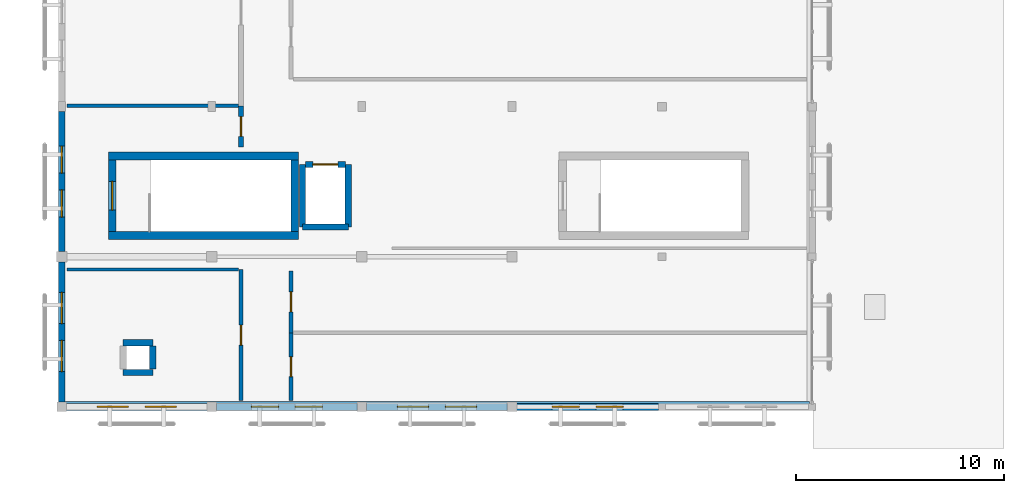
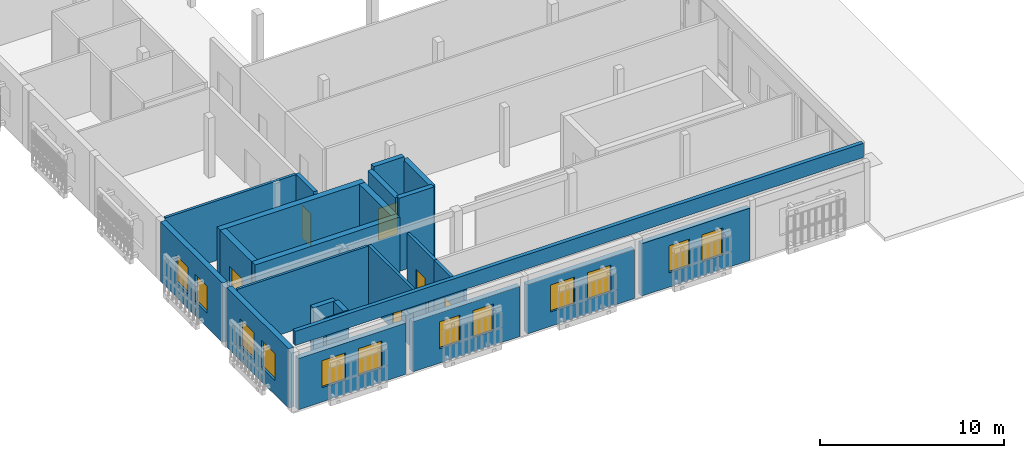
# One storey, part 7 of 11: 24 walls, 12 windows, 6 doors, 18 openings.
"""IFC4 building model written with IfcOpenShell, lengths in metres."""

from ifc_helpers import new_model, si_unit, direction, frame, frame_2d, origin, place, context, subcontext, project, spatial, rectangle, extrude, material, layer, layer_set, type_object, element, fill, save


model = new_model("IFC4")

# Units and contexts
model_context = context("Model", 3, precision=1e-05, world=origin(), true_north=direction((0.0, 1.0)))
body_context = subcontext(model_context, "Body", "Model", "MODEL_VIEW")
ifc_project = project(units=[si_unit("LENGTHUNIT", "METRE"), si_unit("AREAUNIT", "SQUARE_METRE"), si_unit("VOLUMEUNIT", "CUBIC_METRE"), si_unit("PLANEANGLEUNIT", "RADIAN"), si_unit("MASSUNIT", "GRAM", prefix="KILO")], contexts=[model_context])

# Site, building, storey
site_placement = place(None, origin())
site = spatial("IfcSite", under=ifc_project, at=site_placement, CompositionType="ELEMENT")
building_placement = place(site_placement, origin())
building = spatial("IfcBuilding", under=site, at=building_placement, Name="Mazaris Harbour Polytechnic", CompositionType="ELEMENT")
storey_placement = place(building_placement, frame((0.0, 0.0, 22.199951171875)))
storey = spatial("IfcBuildingStorey", under=building, at=storey_placement, Name="L05", CompositionType="ELEMENT", Elevation=22.199951171875)

# Wall, opening, door
ifc_material_1 = material(Name="Concrete C35/45", Category="concrete")
ifc_layer_1 = layer(ifc_material_1, 0.239990234375, Name="Concrete C35/45")
ifc_layer_set_1 = layer_set([ifc_layer_1], Name="Concrete C35/45")
wall_type_1 = type_object("IfcWallType", Name="Archive Vault Fire Wall 240", PredefinedType="STANDARD", material=ifc_layer_set_1)
wall_1_placement = place(storey_placement, frame((8.60009765625, 19.655029296875, 0.0), z_axis=(0.0, 0.0, 1.0), x_axis=(0.0, 1.0, 0.0)))
wall_1 = element("IfcWall", 1, at=wall_1_placement, inside=storey, type_object=wall_type_1, Name="V4 L05 Partition 491", PredefinedType="STANDARD", context=body_context, shape_type="SweptSolid", body=[
    extrude(rectangle(XDim=1.97998046875, YDim=0.239990234375, at=frame_2d((0.989990234375, 0.0))), origin(), (0.0, 0.0, 1.0), 3.9599609375),
])
opening_1_placement = place(wall_1_placement, frame((0.514892578125, 0.0, 0.0)))
opening_1 = element("IfcOpeningElement", 2, at=opening_1_placement, cuts=wall_1, Name="Opening ID-01L", PredefinedType="OPENING", context=body_context, shape_type="SweptSolid", body=[
    extrude(rectangle(XDim=0.949951171875, YDim=2.14990234375, at=frame_2d((0.47509765625, 1.074951171875))), frame((0.0, 0.1298828125, 0.0), z_axis=(0.0, -1.0, 0.0), x_axis=(1.0, 0.0, 0.0)), (0.0, 0.0, 1.0), 0.260009765625),
])
ifc_material_2 = material(Name="Solid Oak Timber", Category="wood")
door_type_1 = type_object("IfcDoorType", Name="Classroom Single Door LH 950x2150", OperationType="SINGLE_SWING_LEFT", PredefinedType="DOOR", material=ifc_material_2)
door_1_placement = place(opening_1_placement, origin())
door_1 = element("IfcDoor", 3, at=door_1_placement, inside=storey, type_object=door_type_1, Name="ID-0232", OperationType="SINGLE_SWING_LEFT", OverallHeight=2.14990234375, OverallWidth=0.949951171875, PredefinedType="DOOR", context=body_context, shape_type="SweptSolid", body=[
    extrude(rectangle(XDim=0.949951171875, YDim=2.14990234375, at=frame_2d((0.47509765625, 1.074951171875))), frame((0.0, 0.02490234375, 0.0), z_axis=(0.0, -1.0, 0.0), x_axis=(1.0, 0.0, 0.0)), (0.0, 0.0, 1.0), 0.050048828125),
])
fill(opening_1, door_1)

# Wall
ifc_material_3 = material(Name="Double Gypsum and Mineral Wool")
ifc_layer_2 = layer(ifc_material_3, 0.14990234375, Name="Double Gypsum and Mineral Wool")
ifc_layer_set_2 = layer_set([ifc_layer_2], Name="Double Gypsum and Mineral Wool")
wall_type_2 = type_object("IfcWallType", Name="Classroom Acoustic Partition 150", PredefinedType="PARTITIONING", material=ifc_layer_set_2)
wall_2_placement = place(storey_placement, frame((0.25, 13.781982421875, 0.0), z_axis=(0.0, 0.0, 1.0), x_axis=(1.0, 0.0, 0.0)))
element("IfcWall", 4, at=wall_2_placement, inside=storey, type_object=wall_type_2, Name="V4 L05 Partition 490", PredefinedType="PARTITIONING", context=body_context, shape_type="SweptSolid", body=[
    extrude(rectangle(XDim=8.22998046875, YDim=0.14990234375, at=frame_2d((4.114990234375, 0.0))), origin(), (0.0, 0.0, 1.0), 3.9599609375),
])

# Wall, opening, door
ifc_material_4 = material(Name="Terracotta Block and Plaster", Category="masonry")
ifc_layer_3 = layer(ifc_material_4, 0.179931640625, Name="Terracotta Block and Plaster")
ifc_layer_set_3 = layer_set([ifc_layer_3], Name="Terracotta Block and Plaster")
wall_type_3 = type_object("IfcWallType", Name="Corridor Fire Partition 180", PredefinedType="PARTITIONING", material=ifc_layer_set_3)
wall_3_placement = place(storey_placement, frame((8.60009765625, 7.5, 0.0), z_axis=(0.0, 0.0, 1.0), x_axis=(0.0, 1.0, 0.0)))
wall_3 = element("IfcWall", 5, at=wall_3_placement, inside=storey, type_object=wall_type_3, Name="V4 L05 Partition 489", PredefinedType="PARTITIONING", context=body_context, shape_type="SweptSolid", body=[
    extrude(rectangle(XDim=6.281982421875, YDim=0.179931640625, at=frame_2d((3.14111328125, 0.0))), origin(), (0.0, 0.0, 1.0), 3.9599609375),
])
opening_2_placement = place(wall_3_placement, frame((2.660888671875, 0.0, 0.0)))
opening_2 = element("IfcOpeningElement", 6, at=opening_2_placement, cuts=wall_3, Name="Opening ID-01R", PredefinedType="OPENING", context=body_context, shape_type="SweptSolid", body=[
    extrude(rectangle(XDim=0.9599609375, YDim=2.14990234375, at=frame_2d((0.47998046875, 1.074951171875))), frame((0.0, 0.099853515625, 0.0), z_axis=(0.0, -1.0, 0.0), x_axis=(1.0, 0.0, 0.0)), (0.0, 0.0, 1.0), 0.199951171875),
])
ifc_material_5 = material(Name="Solid Oak Timber", Category="wood")
door_type_2 = type_object("IfcDoorType", Name="Classroom Single Door RH 960x2150", OperationType="SINGLE_SWING_RIGHT", PredefinedType="DOOR", material=ifc_material_5)
door_2_placement = place(opening_2_placement, origin())
door_2 = element("IfcDoor", 7, at=door_2_placement, inside=storey, type_object=door_type_2, Name="ID-0231", OperationType="SINGLE_SWING_RIGHT", OverallHeight=2.14990234375, OverallWidth=0.9599609375, PredefinedType="DOOR", context=body_context, shape_type="SweptSolid", body=[
    extrude(rectangle(XDim=0.9599609375, YDim=2.14990234375, at=frame_2d((0.47998046875, 1.074951171875))), frame((0.0, 0.02490234375, 0.0), z_axis=(0.0, -1.0, 0.0), x_axis=(1.0, 0.0, 0.0)), (0.0, 0.0, 1.0), 0.050048828125),
])
fill(opening_2, door_2)

wall_4_placement = place(storey_placement, frame((11.0, 7.5, 0.0), z_axis=(0.0, 0.0, 1.0), x_axis=(0.0, 1.0, 0.0)))
wall_4 = element("IfcWall", 8, at=wall_4_placement, inside=storey, type_object=wall_type_3, Name="V4 L05 Partition 501", PredefinedType="PARTITIONING", context=body_context, shape_type="SweptSolid", body=[
    extrude(rectangle(XDim=3.2470703125, YDim=0.179931640625, at=frame_2d((1.62353515625, 0.0))), origin(), (0.0, 0.0, 1.0), 3.9599609375),
])
opening_3_placement = place(wall_4_placement, frame((1.1484375, 0.0, 0.0)))
opening_3 = element("IfcOpeningElement", 9, at=opening_3_placement, cuts=wall_4, Name="Opening ID-01L", PredefinedType="OPENING", context=body_context, shape_type="SweptSolid", body=[
    extrude(rectangle(XDim=0.949951171875, YDim=2.14990234375, at=frame_2d((0.47509765625, 1.074951171875))), frame((0.0, 0.099853515625, 0.0), z_axis=(0.0, -1.0, 0.0), x_axis=(1.0, 0.0, 0.0)), (0.0, 0.0, 1.0), 0.199951171875),
])
door_3_placement = place(opening_3_placement, origin())
door_3 = element("IfcDoor", 10, at=door_3_placement, inside=storey, type_object=door_type_1, Name="ID-0237", OperationType="SINGLE_SWING_LEFT", OverallHeight=2.14990234375, OverallWidth=0.949951171875, PredefinedType="DOOR", context=body_context, shape_type="SweptSolid", body=[
    extrude(rectangle(XDim=0.949951171875, YDim=2.14990234375, at=frame_2d((0.47509765625, 1.074951171875))), frame((0.0, 0.02490234375, 0.0), z_axis=(0.0, -1.0, 0.0), x_axis=(1.0, 0.0, 0.0)), (0.0, 0.0, 1.0), 0.050048828125),
])
fill(opening_3, door_3)

wall_5_placement = place(storey_placement, frame((11.0, 10.751953125, 0.0), z_axis=(0.0, 0.0, 1.0), x_axis=(0.0, 1.0, 0.0)))
wall_5 = element("IfcWall", 11, at=wall_5_placement, inside=storey, type_object=wall_type_3, Name="V4 L05 Partition 503", PredefinedType="PARTITIONING", context=body_context, shape_type="SweptSolid", body=[
    extrude(rectangle(XDim=2.968017578125, YDim=0.179931640625, at=frame_2d((1.48388671875, 0.0))), origin(), (0.0, 0.0, 1.0), 3.9599609375),
])
opening_4_placement = place(wall_5_placement, frame((1.00390625, 0.0, 0.0)))
opening_4 = element("IfcOpeningElement", 12, at=opening_4_placement, cuts=wall_5, Name="Opening ID-01R", PredefinedType="OPENING", context=body_context, shape_type="SweptSolid", body=[
    extrude(rectangle(XDim=0.9599609375, YDim=2.14990234375, at=frame_2d((0.47998046875, 1.074951171875))), frame((0.0, 0.099853515625, 0.0), z_axis=(0.0, -1.0, 0.0), x_axis=(1.0, 0.0, 0.0)), (0.0, 0.0, 1.0), 0.199951171875),
])
door_4_placement = place(opening_4_placement, origin())
door_4 = element("IfcDoor", 13, at=door_4_placement, inside=storey, type_object=door_type_2, Name="ID-0238", OperationType="SINGLE_SWING_RIGHT", OverallHeight=2.14990234375, OverallWidth=0.9599609375, PredefinedType="DOOR", context=body_context, shape_type="SweptSolid", body=[
    extrude(rectangle(XDim=0.9599609375, YDim=2.14990234375, at=frame_2d((0.47998046875, 1.074951171875))), frame((0.0, 0.02490234375, 0.0), z_axis=(0.0, -1.0, 0.0), x_axis=(1.0, 0.0, 0.0)), (0.0, 0.0, 1.0), 0.050048828125),
])
fill(opening_4, door_4)

# Wall
ifc_material_6 = material(Name="Fireboard and Mineral Wool")
ifc_layer_4 = layer(ifc_material_6, 0.1650390625, Name="Fireboard and Mineral Wool")
ifc_layer_set_4 = layer_set([ifc_layer_4], Name="Fireboard and Mineral Wool")
wall_type_4 = type_object("IfcWallType", Name="Laboratory Rated Partition 165", PredefinedType="PARTITIONING", material=ifc_layer_set_4)
wall_6_placement = place(storey_placement, frame((0.25, 21.635009765625, 0.0), z_axis=(0.0, 0.0, 1.0), x_axis=(1.0, 0.0, 0.0)))
element("IfcWall", 14, at=wall_6_placement, inside=storey, type_object=wall_type_4, Name="V4 L05 Partition 492", PredefinedType="PARTITIONING", context=body_context, shape_type="SweptSolid", body=[
    extrude(rectangle(XDim=8.219970703125, YDim=0.1650390625, at=frame_2d((4.10986328125, 0.0))), origin(), (0.0, 0.0, 1.0), 3.9599609375),
])

# Wall, openings, windows
ifc_material_7 = material(Name="Algerian Buff Limestone and Mineral Wool", Category="masonry")
ifc_layer_5 = layer(ifc_material_7, 0.330078125, Name="Algerian Buff Limestone and Mineral Wool")
ifc_layer_set_5 = layer_set([ifc_layer_5], Name="Algerian Buff Limestone and Mineral Wool")
wall_type_5 = type_object("IfcWallType", Name="Limestone Cavity Wall 330", PredefinedType="STANDARD", material=ifc_layer_set_5)
wall_7_placement = place(storey_placement, frame((6.97802734375, 7.199951171875, 0.0), z_axis=(0.0, 0.0, 1.0), x_axis=(-1.0, 0.0, 0.0)))
wall_7 = element("IfcWall", 15, at=wall_7_placement, inside=storey, type_object=wall_type_5, Name="V4 L05 Exterior Wall 271", PredefinedType="STANDARD", context=body_context, shape_type="SweptSolid", body=[
    extrude(rectangle(XDim=6.756103515625, YDim=0.330078125, at=frame_2d((3.3779296875, 0.0))), origin(), (0.0, 0.0, 1.0), 3.41015625),
])
opening_5_placement = place(wall_7_placement, frame((1.47802734375, 0.0, 0.949951171875)))
opening_5 = element("IfcOpeningElement", 16, at=opening_5_placement, cuts=wall_7, Name="Opening WN-14", PredefinedType="OPENING", context=body_context, shape_type="SweptSolid", body=[
    extrude(rectangle(XDim=1.5, YDim=1.800048828125, at=frame_2d((0.75, 0.89990234375))), frame((0.0, 0.175048828125, 0.0), z_axis=(0.0, -1.0, 0.0), x_axis=(1.0, 0.0, 0.0)), (0.0, 0.0, 1.0), 0.35009765625),
])
opening_6_placement = place(wall_7_placement, frame((3.778076171875, 0.0, 0.949951171875)))
opening_6 = element("IfcOpeningElement", 17, at=opening_6_placement, cuts=wall_7, Name="Opening WN-14", PredefinedType="OPENING", context=body_context, shape_type="SweptSolid", body=[
    extrude(rectangle(XDim=1.5, YDim=1.800048828125, at=frame_2d((0.75, 0.89990234375))), frame((0.0, 0.175048828125, 0.0), z_axis=(0.0, -1.0, 0.0), x_axis=(1.0, 0.0, 0.0)), (0.0, 0.0, 1.0), 0.35009765625),
])
ifc_material_8 = material(Name="Thermally Broken Bronze Aluminium and Low-E Glass", Category="aluminium")
window_type_1 = type_object("IfcWindowType", Name="Attic Deep-Reveal Window 1500x1800", PartitioningType="DOUBLE_PANEL_VERTICAL", PredefinedType="WINDOW", material=ifc_material_8)
window_1_placement = place(opening_5_placement, origin())
window_1 = element("IfcWindow", 18, at=window_1_placement, inside=storey, type_object=window_type_1, Name="WN-0312", OverallHeight=1.800048828125, OverallWidth=1.5, PartitioningType="DOUBLE_PANEL_VERTICAL", PredefinedType="WINDOW", context=body_context, shape_type="SweptSolid", body=[
    extrude(rectangle(XDim=1.5, YDim=1.800048828125, at=frame_2d((0.75, 0.89990234375))), frame((0.0, 0.030029296875, 0.0), z_axis=(0.0, -1.0, 0.0), x_axis=(1.0, 0.0, 0.0)), (0.0, 0.0, 1.0), 0.06005859375),
])
fill(opening_5, window_1)
window_2_placement = place(opening_6_placement, origin())
window_2 = element("IfcWindow", 19, at=window_2_placement, inside=storey, type_object=window_type_1, Name="WN-0313", OverallHeight=1.800048828125, OverallWidth=1.5, PartitioningType="DOUBLE_PANEL_VERTICAL", PredefinedType="WINDOW", context=body_context, shape_type="SweptSolid", body=[
    extrude(rectangle(XDim=1.5, YDim=1.800048828125, at=frame_2d((0.75, 0.89990234375))), frame((0.0, 0.030029296875, 0.0), z_axis=(0.0, -1.0, 0.0), x_axis=(1.0, 0.0, 0.0)), (0.0, 0.0, 1.0), 0.06005859375),
])
fill(opening_6, window_2)

wall_8_placement = place(storey_placement, frame((14.177978515625, 7.199951171875, 0.0), z_axis=(0.0, 0.0, 1.0), x_axis=(-1.0, 0.0, 0.0)))
wall_8 = element("IfcWall", 20, at=wall_8_placement, inside=storey, type_object=wall_type_5, Name="V4 L05 Exterior Wall 272", PredefinedType="STANDARD", context=body_context, shape_type="SweptSolid", body=[
    extrude(rectangle(XDim=6.755859375, YDim=0.330078125, at=frame_2d((3.3779296875, 0.0))), origin(), (0.0, 0.0, 1.0), 3.340087890625),
])
opening_7_placement = place(wall_8_placement, frame((1.677978515625, 0.0, 0.949951171875)))
opening_7 = element("IfcOpeningElement", 21, at=opening_7_placement, cuts=wall_8, Name="Opening WN-13", PredefinedType="OPENING", context=body_context, shape_type="SweptSolid", body=[
    extrude(rectangle(XDim=1.300048828125, YDim=1.800048828125, at=frame_2d((0.64990234375, 0.89990234375))), frame((0.0, 0.175048828125, 0.0), z_axis=(0.0, -1.0, 0.0), x_axis=(1.0, 0.0, 0.0)), (0.0, 0.0, 1.0), 0.35009765625),
])
opening_8_placement = place(wall_8_placement, frame((3.778076171875, 0.0, 0.949951171875)))
opening_8 = element("IfcOpeningElement", 22, at=opening_8_placement, cuts=wall_8, Name="Opening WN-13", PredefinedType="OPENING", context=body_context, shape_type="SweptSolid", body=[
    extrude(rectangle(XDim=1.300048828125, YDim=1.800048828125, at=frame_2d((0.64990234375, 0.89990234375))), frame((0.0, 0.175048828125, 0.0), z_axis=(0.0, -1.0, 0.0), x_axis=(1.0, 0.0, 0.0)), (0.0, 0.0, 1.0), 0.35009765625),
])
ifc_material_9 = material(Name="Thermally Broken Bronze Aluminium and Low-E Glass", Category="aluminium")
window_type_2 = type_object("IfcWindowType", Name="Attic Deep-Reveal Window 1300x1800", PartitioningType="DOUBLE_PANEL_VERTICAL", PredefinedType="WINDOW", material=ifc_material_9)
window_3_placement = place(opening_7_placement, origin())
window_3 = element("IfcWindow", 23, at=window_3_placement, inside=storey, type_object=window_type_2, Name="WN-0314", OverallHeight=1.800048828125, OverallWidth=1.300048828125, PartitioningType="DOUBLE_PANEL_VERTICAL", PredefinedType="WINDOW", context=body_context, shape_type="SweptSolid", body=[
    extrude(rectangle(XDim=1.300048828125, YDim=1.800048828125, at=frame_2d((0.64990234375, 0.89990234375))), frame((0.0, 0.030029296875, 0.0), z_axis=(0.0, -1.0, 0.0), x_axis=(1.0, 0.0, 0.0)), (0.0, 0.0, 1.0), 0.06005859375),
])
fill(opening_7, window_3)
window_4_placement = place(opening_8_placement, origin())
window_4 = element("IfcWindow", 24, at=window_4_placement, inside=storey, type_object=window_type_2, Name="WN-0315", OverallHeight=1.800048828125, OverallWidth=1.300048828125, PartitioningType="DOUBLE_PANEL_VERTICAL", PredefinedType="WINDOW", context=body_context, shape_type="SweptSolid", body=[
    extrude(rectangle(XDim=1.300048828125, YDim=1.800048828125, at=frame_2d((0.64990234375, 0.89990234375))), frame((0.0, 0.030029296875, 0.0), z_axis=(0.0, -1.0, 0.0), x_axis=(1.0, 0.0, 0.0)), (0.0, 0.0, 1.0), 0.06005859375),
])
fill(opening_8, window_4)

wall_9_placement = place(storey_placement, frame((21.3779296875, 7.199951171875, 0.0), z_axis=(0.0, 0.0, 1.0), x_axis=(-1.0, 0.0, 0.0)))
wall_9 = element("IfcWall", 25, at=wall_9_placement, inside=storey, type_object=wall_type_5, Name="V4 L05 Exterior Wall 273", PredefinedType="STANDARD", context=body_context, shape_type="SweptSolid", body=[
    extrude(rectangle(XDim=6.755859375, YDim=0.330078125, at=frame_2d((3.3779296875, 0.0))), origin(), (0.0, 0.0, 1.0), 3.280029296875),
])
opening_9_placement = place(wall_9_placement, frame((1.47802734375, 0.0, 0.949951171875)))
opening_9 = element("IfcOpeningElement", 26, at=opening_9_placement, cuts=wall_9, Name="Opening WN-14", PredefinedType="OPENING", context=body_context, shape_type="SweptSolid", body=[
    extrude(rectangle(XDim=1.5, YDim=1.800048828125, at=frame_2d((0.75, 0.89990234375))), frame((0.0, 0.175048828125, 0.0), z_axis=(0.0, -1.0, 0.0), x_axis=(1.0, 0.0, 0.0)), (0.0, 0.0, 1.0), 0.35009765625),
])
opening_10_placement = place(wall_9_placement, frame((3.778076171875, 0.0, 0.949951171875)))
opening_10 = element("IfcOpeningElement", 27, at=opening_10_placement, cuts=wall_9, Name="Opening WN-14", PredefinedType="OPENING", context=body_context, shape_type="SweptSolid", body=[
    extrude(rectangle(XDim=1.5, YDim=1.800048828125, at=frame_2d((0.75, 0.89990234375))), frame((0.0, 0.175048828125, 0.0), z_axis=(0.0, -1.0, 0.0), x_axis=(1.0, 0.0, 0.0)), (0.0, 0.0, 1.0), 0.35009765625),
])
window_5_placement = place(opening_9_placement, origin())
window_5 = element("IfcWindow", 28, at=window_5_placement, inside=storey, type_object=window_type_1, Name="WN-0316", OverallHeight=1.800048828125, OverallWidth=1.5, PartitioningType="DOUBLE_PANEL_VERTICAL", PredefinedType="WINDOW", context=body_context, shape_type="SweptSolid", body=[
    extrude(rectangle(XDim=1.5, YDim=1.800048828125, at=frame_2d((0.75, 0.89990234375))), frame((0.0, 0.030029296875, 0.0), z_axis=(0.0, -1.0, 0.0), x_axis=(1.0, 0.0, 0.0)), (0.0, 0.0, 1.0), 0.06005859375),
])
fill(opening_9, window_5)
window_6_placement = place(opening_10_placement, origin())
window_6 = element("IfcWindow", 29, at=window_6_placement, inside=storey, type_object=window_type_1, Name="WN-0317", OverallHeight=1.800048828125, OverallWidth=1.5, PartitioningType="DOUBLE_PANEL_VERTICAL", PredefinedType="WINDOW", context=body_context, shape_type="SweptSolid", body=[
    extrude(rectangle(XDim=1.5, YDim=1.800048828125, at=frame_2d((0.75, 0.89990234375))), frame((0.0, 0.030029296875, 0.0), z_axis=(0.0, -1.0, 0.0), x_axis=(1.0, 0.0, 0.0)), (0.0, 0.0, 1.0), 0.06005859375),
])
fill(opening_10, window_6)

wall_10_placement = place(storey_placement, frame((28.637939453125, 7.199951171875, 0.0), z_axis=(0.0, 0.0, 1.0), x_axis=(-1.0, 0.0, 0.0)))
wall_10 = element("IfcWall", 30, at=wall_10_placement, inside=storey, type_object=wall_type_5, Name="V4 L05 Exterior Wall 274", PredefinedType="STANDARD", context=body_context, shape_type="SweptSolid", body=[
    extrude(rectangle(XDim=6.81591796875, YDim=0.330078125, at=frame_2d((3.407958984375, 0.0))), origin(), (0.0, 0.0, 1.0), 3.47998046875),
])
opening_11_placement = place(wall_10_placement, frame((1.7080078125, 0.0, 0.949951171875)))
opening_11 = element("IfcOpeningElement", 31, at=opening_11_placement, cuts=wall_10, Name="Opening WN-13", PredefinedType="OPENING", context=body_context, shape_type="SweptSolid", body=[
    extrude(rectangle(XDim=1.300048828125, YDim=1.800048828125, at=frame_2d((0.64990234375, 0.89990234375))), frame((0.0, 0.175048828125, 0.0), z_axis=(0.0, -1.0, 0.0), x_axis=(1.0, 0.0, 0.0)), (0.0, 0.0, 1.0), 0.35009765625),
])
opening_12_placement = place(wall_10_placement, frame((3.80810546875, 0.0, 0.949951171875)))
opening_12 = element("IfcOpeningElement", 32, at=opening_12_placement, cuts=wall_10, Name="Opening WN-13", PredefinedType="OPENING", context=body_context, shape_type="SweptSolid", body=[
    extrude(rectangle(XDim=1.300048828125, YDim=1.800048828125, at=frame_2d((0.64990234375, 0.89990234375))), frame((0.0, 0.175048828125, 0.0), z_axis=(0.0, -1.0, 0.0), x_axis=(1.0, 0.0, 0.0)), (0.0, 0.0, 1.0), 0.35009765625),
])
window_7_placement = place(opening_11_placement, origin())
window_7 = element("IfcWindow", 33, at=window_7_placement, inside=storey, type_object=window_type_2, Name="WN-0318", OverallHeight=1.800048828125, OverallWidth=1.300048828125, PartitioningType="DOUBLE_PANEL_VERTICAL", PredefinedType="WINDOW", context=body_context, shape_type="SweptSolid", body=[
    extrude(rectangle(XDim=1.300048828125, YDim=1.800048828125, at=frame_2d((0.64990234375, 0.89990234375))), frame((0.0, 0.030029296875, 0.0), z_axis=(0.0, -1.0, 0.0), x_axis=(1.0, 0.0, 0.0)), (0.0, 0.0, 1.0), 0.06005859375),
])
fill(opening_11, window_7)
window_8_placement = place(opening_12_placement, origin())
window_8 = element("IfcWindow", 34, at=window_8_placement, inside=storey, type_object=window_type_2, Name="WN-0319", OverallHeight=1.800048828125, OverallWidth=1.300048828125, PartitioningType="DOUBLE_PANEL_VERTICAL", PredefinedType="WINDOW", context=body_context, shape_type="SweptSolid", body=[
    extrude(rectangle(XDim=1.300048828125, YDim=1.800048828125, at=frame_2d((0.64990234375, 0.89990234375))), frame((0.0, 0.030029296875, 0.0), z_axis=(0.0, -1.0, 0.0), x_axis=(1.0, 0.0, 0.0)), (0.0, 0.0, 1.0), 0.06005859375),
])
fill(opening_12, window_8)

wall_11_placement = place(storey_placement, frame((0.0, 7.422119140625, 0.0), z_axis=(0.0, 0.0, 1.0), x_axis=(0.0, 1.0, 0.0)))
wall_11 = element("IfcWall", 35, at=wall_11_placement, inside=storey, type_object=wall_type_5, Name="V4 L05 Exterior Wall 279", PredefinedType="STANDARD", context=body_context, shape_type="SweptSolid", body=[
    extrude(rectangle(XDim=6.73583984375, YDim=0.330078125, at=frame_2d((3.367919921875, 0.0))), origin(), (0.0, 0.0, 1.0), 3.9599609375),
])
opening_13_placement = place(wall_11_placement, frame((1.468017578125, 0.0, 0.949951171875)))
opening_13 = element("IfcOpeningElement", 36, at=opening_13_placement, cuts=wall_11, Name="Opening WN-14", PredefinedType="OPENING", context=body_context, shape_type="SweptSolid", body=[
    extrude(rectangle(XDim=1.5, YDim=1.800048828125, at=frame_2d((0.75, 0.89990234375))), frame((0.0, 0.175048828125, 0.0), z_axis=(0.0, -1.0, 0.0), x_axis=(1.0, 0.0, 0.0)), (0.0, 0.0, 1.0), 0.35009765625),
])
opening_14_placement = place(wall_11_placement, frame((3.76806640625, 0.0, 0.949951171875)))
opening_14 = element("IfcOpeningElement", 37, at=opening_14_placement, cuts=wall_11, Name="Opening WN-14", PredefinedType="OPENING", context=body_context, shape_type="SweptSolid", body=[
    extrude(rectangle(XDim=1.5, YDim=1.800048828125, at=frame_2d((0.75, 0.89990234375))), frame((0.0, 0.175048828125, 0.0), z_axis=(0.0, -1.0, 0.0), x_axis=(1.0, 0.0, 0.0)), (0.0, 0.0, 1.0), 0.35009765625),
])
window_9_placement = place(opening_13_placement, origin())
window_9 = element("IfcWindow", 38, at=window_9_placement, inside=storey, type_object=window_type_1, Name="WN-0328", OverallHeight=1.800048828125, OverallWidth=1.5, PartitioningType="DOUBLE_PANEL_VERTICAL", PredefinedType="WINDOW", context=body_context, shape_type="SweptSolid", body=[
    extrude(rectangle(XDim=1.5, YDim=1.800048828125, at=frame_2d((0.75, 0.89990234375))), frame((0.0, 0.030029296875, 0.0), z_axis=(0.0, -1.0, 0.0), x_axis=(1.0, 0.0, 0.0)), (0.0, 0.0, 1.0), 0.06005859375),
])
fill(opening_13, window_9)
window_10_placement = place(opening_14_placement, origin())
window_10 = element("IfcWindow", 39, at=window_10_placement, inside=storey, type_object=window_type_1, Name="WN-0329", OverallHeight=1.800048828125, OverallWidth=1.5, PartitioningType="DOUBLE_PANEL_VERTICAL", PredefinedType="WINDOW", context=body_context, shape_type="SweptSolid", body=[
    extrude(rectangle(XDim=1.5, YDim=1.800048828125, at=frame_2d((0.75, 0.89990234375))), frame((0.0, 0.030029296875, 0.0), z_axis=(0.0, -1.0, 0.0), x_axis=(1.0, 0.0, 0.0)), (0.0, 0.0, 1.0), 0.06005859375),
])
fill(opening_14, window_10)

wall_12_placement = place(storey_placement, frame((0.0, 14.64208984375, 0.0), z_axis=(0.0, 0.0, 1.0), x_axis=(0.0, 1.0, 0.0)))
wall_12 = element("IfcWall", 40, at=wall_12_placement, inside=storey, type_object=wall_type_5, Name="V4 L05 Exterior Wall 280", PredefinedType="STANDARD", context=body_context, shape_type="SweptSolid", body=[
    extrude(rectangle(XDim=6.725830078125, YDim=0.330078125, at=frame_2d((3.36279296875, 0.0))), origin(), (0.0, 0.0, 1.0), 3.9599609375),
])
opening_15_placement = place(wall_12_placement, frame((1.6630859375, 0.0, 0.949951171875)))
opening_15 = element("IfcOpeningElement", 41, at=opening_15_placement, cuts=wall_12, Name="Opening WN-13", PredefinedType="OPENING", context=body_context, shape_type="SweptSolid", body=[
    extrude(rectangle(XDim=1.300048828125, YDim=1.800048828125, at=frame_2d((0.64990234375, 0.89990234375))), frame((0.0, 0.175048828125, 0.0), z_axis=(0.0, -1.0, 0.0), x_axis=(1.0, 0.0, 0.0)), (0.0, 0.0, 1.0), 0.35009765625),
])
opening_16_placement = place(wall_12_placement, frame((3.762939453125, 0.0, 0.949951171875)))
opening_16 = element("IfcOpeningElement", 42, at=opening_16_placement, cuts=wall_12, Name="Opening WN-13", PredefinedType="OPENING", context=body_context, shape_type="SweptSolid", body=[
    extrude(rectangle(XDim=1.300048828125, YDim=1.800048828125, at=frame_2d((0.64990234375, 0.89990234375))), frame((0.0, 0.175048828125, 0.0), z_axis=(0.0, -1.0, 0.0), x_axis=(1.0, 0.0, 0.0)), (0.0, 0.0, 1.0), 0.35009765625),
])
window_11_placement = place(opening_15_placement, origin())
window_11 = element("IfcWindow", 43, at=window_11_placement, inside=storey, type_object=window_type_2, Name="WN-0330", OverallHeight=1.800048828125, OverallWidth=1.300048828125, PartitioningType="DOUBLE_PANEL_VERTICAL", PredefinedType="WINDOW", context=body_context, shape_type="SweptSolid", body=[
    extrude(rectangle(XDim=1.300048828125, YDim=1.800048828125, at=frame_2d((0.64990234375, 0.89990234375))), frame((0.0, 0.030029296875, 0.0), z_axis=(0.0, -1.0, 0.0), x_axis=(1.0, 0.0, 0.0)), (0.0, 0.0, 1.0), 0.06005859375),
])
fill(opening_15, window_11)
window_12_placement = place(opening_16_placement, origin())
window_12 = element("IfcWindow", 44, at=window_12_placement, inside=storey, type_object=window_type_2, Name="WN-0331", OverallHeight=1.800048828125, OverallWidth=1.300048828125, PartitioningType="DOUBLE_PANEL_VERTICAL", PredefinedType="WINDOW", context=body_context, shape_type="SweptSolid", body=[
    extrude(rectangle(XDim=1.300048828125, YDim=1.800048828125, at=frame_2d((0.64990234375, 0.89990234375))), frame((0.0, 0.030029296875, 0.0), z_axis=(0.0, -1.0, 0.0), x_axis=(1.0, 0.0, 0.0)), (0.0, 0.0, 1.0), 0.06005859375),
])
fill(opening_16, window_12)

# Walls
ifc_material_10 = material(Name="Algerian Buff Limestone", Category="masonry")
ifc_layer_6 = layer(ifc_material_10, 0.2451171875, Name="Algerian Buff Limestone")
ifc_layer_set_6 = layer_set([ifc_layer_6], Name="Algerian Buff Limestone")
wall_type_6 = type_object("IfcWallType", Name="Limestone Cornice Parapet 245", PredefinedType="PARAPET", material=ifc_layer_set_6)
wall_13_placement = place(storey_placement, frame((0.1298828125, 7.330078125, 4.199951171875), z_axis=(0.0, 0.0, 1.0), x_axis=(1.0, 0.0, 0.0)))
element("IfcWall", 45, at=wall_13_placement, inside=storey, type_object=wall_type_6, Name="L05 Roof Cornice Parapet 1", PredefinedType="PARAPET", context=body_context, shape_type="SweptSolid", body=[
    extrude(rectangle(XDim=35.740234375, YDim=0.2451171875, at=frame_2d((17.8701171875, 0.0))), origin(), (0.0, 0.0, 1.0), 0.9501953125),
])
ifc_material_11 = material(Name="Concrete C40/50", Category="concrete")
ifc_layer_7 = layer(ifc_material_11, 0.375, Name="Concrete C40/50")
ifc_layer_set_7 = layer_set([ifc_layer_7], Name="Concrete C40/50")
wall_type_7 = type_object("IfcWallType", Name="RC Core Shear Wall 375", PredefinedType="SHEAR", material=ifc_layer_set_7)
for number, where, z_axis, x_axis, name in (
    (46, (2.25, 15.425048828125, 0.0), (0.0, 0.0, 1.0), (1.0, 0.0, 0.0), "Core ST07 L05 Shear Wall S"),
    (47, (11.35009765625, 19.22509765625, 0.0), (0.0, 0.0, 1.0), (-1.0, 0.0, 0.0), "Core ST07 L05 Shear Wall N"),
):
    element("IfcWall", number, at=place(storey_placement, frame(where, z_axis=z_axis, x_axis=x_axis)), inside=storey, type_object=wall_type_7, Name=name, PredefinedType="SHEAR", context=body_context, shape_type="SweptSolid", body=[
        extrude(rectangle(XDim=9.10009765625, YDim=0.375, at=frame_2d((4.550048828125, 0.0))), origin(), (0.0, 0.0, 1.0), 3.9599609375),
    ])
wall_14_placement = place(storey_placement, frame((11.175048828125, 15.60009765625, 0.0), z_axis=(0.0, 0.0, 1.0), x_axis=(0.0, 1.0, 0.0)))
element("IfcWall", 48, at=wall_14_placement, inside=storey, type_object=wall_type_7, Name="Core ST07 L05 Shear Wall E", PredefinedType="SHEAR", context=body_context, shape_type="SweptSolid", body=[
    extrude(rectangle(XDim=3.449951171875, YDim=0.375, at=frame_2d((1.72509765625, 0.0))), origin(), (0.0, 0.0, 1.0), 3.9599609375),
])

# Wall, opening, door
wall_15_placement = place(storey_placement, frame((2.425048828125, 19.050048828125, 0.0), z_axis=(0.0, 0.0, 1.0), x_axis=(0.0, -1.0, 0.0)))
wall_15 = element("IfcWall", 49, at=wall_15_placement, inside=storey, type_object=wall_type_7, Name="Core ST07 L05 Entrance Shear Wall", PredefinedType="SHEAR", context=body_context, shape_type="SweptSolid", body=[
    extrude(rectangle(XDim=3.449951171875, YDim=0.375, at=frame_2d((1.72509765625, 0.0))), origin(), (0.0, 0.0, 1.0), 3.9599609375),
])
opening_17_placement = place(wall_15_placement, frame((1.034912109375, 0.0, 0.0)))
opening_17 = element("IfcOpeningElement", 50, at=opening_17_placement, cuts=wall_15, Name="Opening SD-01", PredefinedType="OPENING", context=body_context, shape_type="SweptSolid", body=[
    extrude(rectangle(XDim=1.3798828125, YDim=2.199951171875, at=frame_2d((0.68994140625, 1.10009765625))), frame((0.0, 0.197509765625, 0.0), z_axis=(0.0, -1.0, 0.0), x_axis=(1.0, 0.0, 0.0)), (0.0, 0.0, 1.0), 0.39501953125),
])
ifc_material_12 = material(Name="Glulam Timber and Fire Glass", Category="wood")
door_type_3 = type_object("IfcDoorType", Name="Protected Stair Lobby Fire Door 1380x2200", OperationType="DOUBLE_DOOR_SINGLE_SWING", PredefinedType="DOOR", material=ifc_material_12)
door_5_placement = place(opening_17_placement, origin())
door_5 = element("IfcDoor", 51, at=door_5_placement, inside=storey, type_object=door_type_3, Name="SD-034", OperationType="DOUBLE_DOOR_SINGLE_SWING", OverallHeight=2.199951171875, OverallWidth=1.3798828125, PredefinedType="DOOR", context=body_context, shape_type="SweptSolid", body=[
    extrude(rectangle(XDim=1.3798828125, YDim=2.199951171875, at=frame_2d((0.68994140625, 1.10009765625))), frame((0.0, 0.02490234375, 0.0), z_axis=(0.0, -1.0, 0.0), x_axis=(1.0, 0.0, 0.0)), (0.0, 0.0, 1.0), 0.050048828125),
])
fill(opening_17, door_5)

# Walls
ifc_material_13 = material(Name="Concrete C40/50", Category="concrete")
ifc_layer_8 = layer(ifc_material_13, 0.300048828125, Name="Concrete C40/50")
ifc_layer_set_8 = layer_set([ifc_layer_8], Name="Concrete C40/50")
wall_type_8 = type_object("IfcWallType", Name="RC Lift Shaft Wall 300", PredefinedType="SHEAR", material=ifc_layer_set_8)
wall_16_placement = place(storey_placement, frame((2.949951171875, 8.85009765625, 0.0), z_axis=(0.0, 0.0, 1.0), x_axis=(1.0, 0.0, 0.0)))
element("IfcWall", 52, at=wall_16_placement, inside=storey, type_object=wall_type_8, Name="V4 L05 Riser Enclosure Wall 1-1", PredefinedType="SHEAR", context=body_context, shape_type="SweptSolid", body=[
    extrude(rectangle(XDim=1.420166015625, YDim=0.300048828125, at=frame_2d((0.7099609375, 0.0))), origin(), (0.0, 0.0, 1.0), 3.9599609375),
])
wall_17_placement = place(storey_placement, frame((4.3701171875, 9.010009765625, 0.0), z_axis=(0.0, 0.0, 1.0), x_axis=(0.0, 1.0, 0.0)))
element("IfcWall", 53, at=wall_17_placement, inside=storey, type_object=wall_type_8, Name="V4 L05 Riser Enclosure Wall 1-2", PredefinedType="SHEAR", context=body_context, shape_type="SweptSolid", body=[
    extrude(rectangle(XDim=1.10009765625, YDim=0.300048828125, at=frame_2d((0.550048828125, 0.0))), origin(), (0.0, 0.0, 1.0), 3.9599609375),
])
wall_18_placement = place(storey_placement, frame((4.3701171875, 10.27001953125, 0.0), z_axis=(0.0, 0.0, 1.0), x_axis=(-1.0, 0.0, 0.0)))
element("IfcWall", 54, at=wall_18_placement, inside=storey, type_object=wall_type_8, Name="V4 L05 Riser Enclosure Wall 1-3", PredefinedType="SHEAR", context=body_context, shape_type="SweptSolid", body=[
    extrude(rectangle(XDim=1.420166015625, YDim=0.300048828125, at=frame_2d((0.7099609375, 0.0))), origin(), (0.0, 0.0, 1.0), 3.9599609375),
])
wall_19_placement = place(storey_placement, frame((11.550048828125, 15.824951171875, 0.0), z_axis=(0.0, 0.0, 1.0), x_axis=(1.0, 0.0, 0.0)))
element("IfcWall", 55, at=wall_19_placement, inside=storey, type_object=wall_type_8, Name="Lift LF-01 L05 South Shaft Wall", PredefinedType="SHEAR", context=body_context, shape_type="SweptSolid", body=[
    extrude(rectangle(XDim=2.199951171875, YDim=0.300048828125, at=frame_2d((1.10009765625, 0.0))), origin(), (0.0, 0.0, 1.0), 4.860107421875),
])
for number, where, z_axis, x_axis, name in (
    (56, (11.550048828125, 18.824951171875, 0.0), (0.0, 0.0, 1.0), (0.0, -1.0, 0.0), "Lift LF-01 L05 West Shaft Wall"),
    (57, (13.75, 15.824951171875, 0.0), (0.0, 0.0, 1.0), (0.0, 1.0, 0.0), "Lift LF-01 L05 East Shaft Wall"),
):
    element("IfcWall", number, at=place(storey_placement, frame(where, z_axis=z_axis, x_axis=x_axis)), inside=storey, type_object=wall_type_8, Name=name, PredefinedType="SHEAR", context=body_context, shape_type="SweptSolid", body=[
        extrude(rectangle(XDim=3.0, YDim=0.300048828125, at=frame_2d((1.5, 0.0))), origin(), (0.0, 0.0, 1.0), 4.860107421875),
    ])

# Wall, opening, door
wall_20_placement = place(storey_placement, frame((11.68994140625, 18.824951171875, 0.0), z_axis=(0.0, 0.0, 1.0), x_axis=(1.0, 0.0, 0.0)))
wall_20 = element("IfcWall", 58, at=wall_20_placement, inside=storey, type_object=wall_type_8, Name="Lift LF-01 L05 Front Shaft Wall", PredefinedType="SHEAR", context=body_context, shape_type="SweptSolid", body=[
    extrude(rectangle(XDim=1.920166015625, YDim=0.300048828125, at=frame_2d((0.9599609375, 0.0))), origin(), (0.0, 0.0, 1.0), 5.10009765625),
])
opening_18_placement = place(wall_20_placement, frame((0.360107421875, 0.0, 0.0)))
opening_18 = element("IfcOpeningElement", 59, at=opening_18_placement, cuts=wall_20, Name="Opening LD-02", PredefinedType="OPENING", context=body_context, shape_type="SweptSolid", body=[
    extrude(rectangle(XDim=1.199951171875, YDim=2.10009765625, at=frame_2d((0.60009765625, 1.050048828125))), frame((0.0, 0.159912109375, 0.0), z_axis=(0.0, -1.0, 0.0), x_axis=(1.0, 0.0, 0.0)), (0.0, 0.0, 1.0), 0.320068359375),
])
ifc_material_14 = material(Name="Stainless Steel S355", Category="steel")
door_type_4 = type_object("IfcDoorType", Name="Sliding Firefighting Lift Landing Door 1200x2100", OperationType="SLIDING_TO_LEFT", PredefinedType="DOOR", material=ifc_material_14)
door_6_placement = place(opening_18_placement, origin())
door_6 = element("IfcDoor", 60, at=door_6_placement, inside=storey, type_object=door_type_4, Name="LD-007", OperationType="SLIDING_TO_LEFT", OverallHeight=2.10009765625, OverallWidth=1.199951171875, PredefinedType="DOOR", context=body_context, shape_type="SweptSolid", body=[
    extrude(rectangle(XDim=1.199951171875, YDim=2.10009765625, at=frame_2d((0.60009765625, 1.050048828125))), frame((0.0, 0.02490234375, 0.0), z_axis=(0.0, -1.0, 0.0), x_axis=(1.0, 0.0, 0.0)), (0.0, 0.0, 1.0), 0.050048828125),
])
fill(opening_18, door_6)

save(model, "model.ifc")
